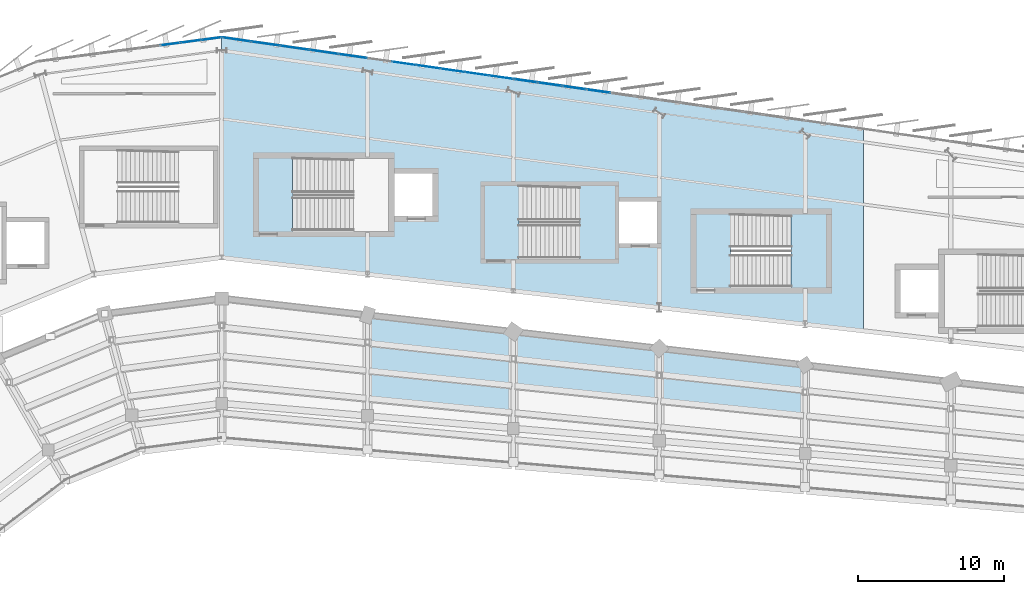
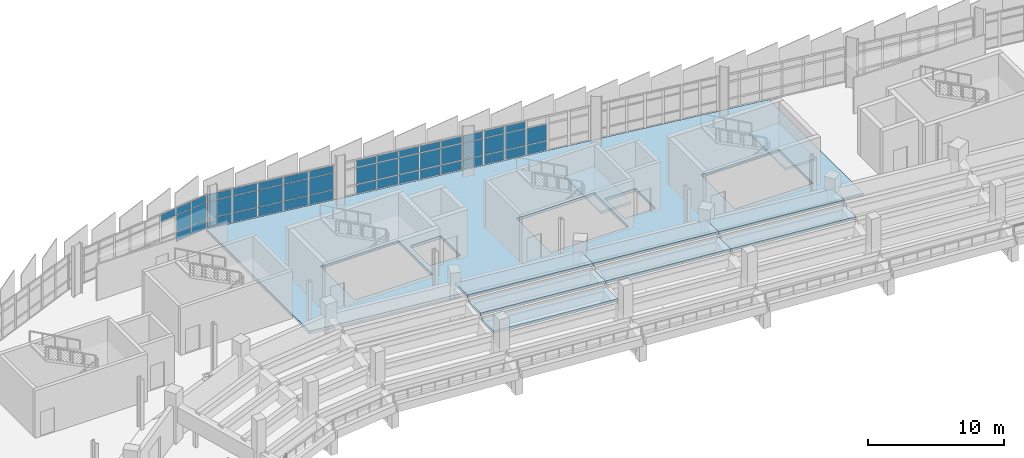
# One storey, part 86 of 120: 48 plates, 10 slabs, 6 elements without a shape of their own.
"""IFC4 building model written with IfcOpenShell, lengths in metres."""

from ifc_helpers import new_model, si_unit, direction, frame, origin, origin_2d, place, context, subcontext, project, spatial, polyline, rectangle, outline, extrude, material, layer, layer_set, type_object, element, aggregate, save


model = new_model("IFC4")

# Units and contexts
model_context = context("Model", 3, precision=1e-05, world=origin(), true_north=direction((0.0, 1.0)))
body_context = subcontext(model_context, "Body", "Model", "MODEL_VIEW")
ifc_project = project(units=[si_unit("LENGTHUNIT", "METRE"), si_unit("AREAUNIT", "SQUARE_METRE"), si_unit("VOLUMEUNIT", "CUBIC_METRE"), si_unit("PLANEANGLEUNIT", "RADIAN"), si_unit("MASSUNIT", "GRAM", prefix="KILO")], contexts=[model_context])

# Site, building, storey
site_placement = place(None, origin())
site = spatial("IfcSite", under=ifc_project, at=site_placement, CompositionType="ELEMENT")
building_placement = place(site_placement, origin())
building = spatial("IfcBuilding", under=site, at=building_placement, Name="Sohan Crest Arena", CompositionType="ELEMENT")
storey_placement = place(building_placement, frame((0.0, 0.0, 13.5)))
storey = spatial("IfcBuildingStorey", under=building, at=storey_placement, Name="L03", CompositionType="ELEMENT", Elevation=13.5)

# Curtain wall, plates
ifc_material_1 = material(Name="Thermally broken anodised aluminium", Category="aluminium")
ifc_layer_1 = layer(ifc_material_1, 0.179931640625, Name="Thermally broken anodised aluminium")
ifc_layer_set_1 = layer_set([ifc_layer_1], Name="Thermally broken anodised aluminium")
curtain_wall_type_1 = type_object("IfcCurtainWallType", Name="ARC-CW01", PredefinedType="NOTDEFINED", material=ifc_layer_set_1)
curtain_wall_1_placement = place(storey_placement, origin())
curtain_wall_1 = element("IfcCurtainWall", 1, at=curtain_wall_1_placement, inside=storey, type_object=curtain_wall_type_1, Name="Unitised curtain wall CW-080", PredefinedType="NOTDEFINED")
ifc_material_2 = material(Name="Low-E double-glazed insulated glass", Category="glass")
ifc_layer_2 = layer(ifc_material_2, 0.028076171875, Name="Low-E double-glazed insulated glass")
ifc_layer_set_2 = layer_set([ifc_layer_2], Name="Low-E double-glazed insulated glass")
plate_type_1 = type_object("IfcPlateType", Name="ARC-CNP01", PredefinedType="CURTAIN_PANEL", material=ifc_layer_set_2)
plate_1_placement = place(storey_placement, frame((97.281982421875, 126.805419921875, 0.06005859375), z_axis=(0.0, 0.0, 1.0), x_axis=(-0.991446828069, -0.130511252817, 0.0)))
plate_1 = element("IfcPlate", 2, at=plate_1_placement, type_object=plate_type_1, Name="CW-080 panel 1.1", PredefinedType="CURTAIN_PANEL", context=body_context, shape_type="SweptSolid", body=[
    extrude(rectangle(XDim=1.328369140625, YDim=0.028076171875, at=origin_2d()), origin(), (0.0, 0.0, 1.0), 0.81005859375),
])
plate_2_placement = place(storey_placement, frame((97.281982421875, 126.805419921875, 0.929931640625), z_axis=(0.0, 0.0, 1.0), x_axis=(-0.991446828069, -0.130511252817, 0.0)))
plate_2 = element("IfcPlate", 3, at=plate_2_placement, type_object=plate_type_1, Name="CW-080 panel 1.2", PredefinedType="CURTAIN_PANEL", context=body_context, shape_type="SweptSolid", body=[
    extrude(rectangle(XDim=1.328369140625, YDim=0.028076171875, at=origin_2d()), origin(), (0.0, 0.0, 1.0), 1.4599609375),
])
plate_3_placement = place(storey_placement, frame((97.281982421875, 126.805419921875, 2.44970703125), z_axis=(0.0, 0.0, 1.0), x_axis=(-0.991446828069, -0.130511252817, 0.0)))
plate_3 = element("IfcPlate", 4, at=plate_3_placement, type_object=plate_type_1, Name="CW-080 panel 1.3", PredefinedType="CURTAIN_PANEL", context=body_context, shape_type="SweptSolid", body=[
    extrude(rectangle(XDim=1.328369140625, YDim=0.028076171875, at=origin_2d()), origin(), (0.0, 0.0, 1.0), 0.610107421875),
])
plate_4_placement = place(storey_placement, frame((95.890625, 126.622314453125, 0.06005859375), z_axis=(0.0, 0.0, 1.0), x_axis=(-0.991446828069, -0.130511252817, 0.0)))
plate_4 = element("IfcPlate", 5, at=plate_4_placement, type_object=plate_type_1, Name="CW-080 panel 2.1", PredefinedType="CURTAIN_PANEL", context=body_context, shape_type="SweptSolid", body=[
    extrude(rectangle(XDim=1.3583984375, YDim=0.028076171875, at=origin_2d()), origin(), (0.0, 0.0, 1.0), 0.81005859375),
])
plate_5_placement = place(storey_placement, frame((95.890625, 126.622314453125, 0.929931640625), z_axis=(0.0, 0.0, 1.0), x_axis=(-0.991446828069, -0.130511252817, 0.0)))
plate_5 = element("IfcPlate", 6, at=plate_5_placement, type_object=plate_type_1, Name="CW-080 panel 2.2", PredefinedType="CURTAIN_PANEL", context=body_context, shape_type="SweptSolid", body=[
    extrude(rectangle(XDim=1.3583984375, YDim=0.028076171875, at=origin_2d()), origin(), (0.0, 0.0, 1.0), 1.4599609375),
])
plate_6_placement = place(storey_placement, frame((95.890625, 126.622314453125, 2.44970703125), z_axis=(0.0, 0.0, 1.0), x_axis=(-0.991446828069, -0.130511252817, 0.0)))
plate_6 = element("IfcPlate", 7, at=plate_6_placement, type_object=plate_type_1, Name="CW-080 panel 2.3", PredefinedType="CURTAIN_PANEL", context=body_context, shape_type="SweptSolid", body=[
    extrude(rectangle(XDim=1.3583984375, YDim=0.028076171875, at=origin_2d()), origin(), (0.0, 0.0, 1.0), 0.610107421875),
])
plate_7_placement = place(storey_placement, frame((94.484375, 126.437255859375, 2.44970703125), z_axis=(0.0, 0.0, 1.0), x_axis=(-0.991446828069, -0.130511252817, 0.0)))
plate_7 = element("IfcPlate", 8, at=plate_7_placement, type_object=plate_type_1, Name="CW-080 panel 3.3", PredefinedType="CURTAIN_PANEL", context=body_context, shape_type="SweptSolid", body=[
    extrude(rectangle(XDim=1.3583984375, YDim=0.028076171875, at=origin_2d()), origin(), (0.0, 0.0, 1.0), 0.610107421875),
])
aggregate(curtain_wall_1, [plate_1, plate_2, plate_3, plate_4, plate_5, plate_6, plate_7])

ifc_layer_3 = layer(ifc_material_1, 0.219970703125, Name="Thermally broken anodised aluminium")
ifc_layer_set_3 = layer_set([ifc_layer_3], Name="Thermally broken anodised aluminium")
curtain_wall_type_2 = type_object("IfcCurtainWallType", Name="ARC-CW03", PredefinedType="NOTDEFINED", material=ifc_layer_set_3)
curtain_wall_2_placement = place(storey_placement, origin())
curtain_wall_2 = element("IfcCurtainWall", 9, at=curtain_wall_2_placement, inside=storey, type_object=curtain_wall_type_2, Name="Unitised curtain wall CW-110", PredefinedType="NOTDEFINED")
plate_8_placement = place(storey_placement, frame((117.15185546875, 124.1640625, 0.070068359375), z_axis=(0.0, 0.0, 1.0), x_axis=(-0.989957411768, 0.141365918403, 0.0)))
plate_8 = element("IfcPlate", 10, at=plate_8_placement, type_object=plate_type_1, Name="CW-110 panel 1.1", PredefinedType="CURTAIN_PANEL", context=body_context, shape_type="SweptSolid", body=[
    extrude(rectangle(XDim=1.593505859375, YDim=0.028076171875, at=origin_2d()), origin(), (0.0, 0.0, 1.0), 0.794921875),
])
plate_9_placement = place(storey_placement, frame((117.15185546875, 124.1640625, 0.93505859375), z_axis=(0.0, 0.0, 1.0), x_axis=(-0.989957411768, 0.141365918403, 0.0)))
plate_9 = element("IfcPlate", 11, at=plate_9_placement, type_object=plate_type_1, Name="CW-110 panel 1.2", PredefinedType="CURTAIN_PANEL", context=body_context, shape_type="SweptSolid", body=[
    extrude(rectangle(XDim=1.593505859375, YDim=0.028076171875, at=origin_2d()), origin(), (0.0, 0.0, 1.0), 1.449951171875),
])
plate_10_placement = place(storey_placement, frame((117.15185546875, 124.1640625, 2.455078125), z_axis=(0.0, 0.0, 1.0), x_axis=(-0.989957411768, 0.141365918403, 0.0)))
plate_10 = element("IfcPlate", 12, at=plate_10_placement, type_object=plate_type_1, Name="CW-110 panel 1.3", PredefinedType="CURTAIN_PANEL", context=body_context, shape_type="SweptSolid", body=[
    extrude(rectangle(XDim=1.593505859375, YDim=0.028076171875, at=origin_2d()), origin(), (0.0, 0.0, 1.0), 0.594970703125),
])
plate_11_placement = place(storey_placement, frame((115.5, 124.39990234375, 0.070068359375), z_axis=(0.0, 0.0, 1.0), x_axis=(-0.989957411768, 0.141365918403, 0.0)))
plate_11 = element("IfcPlate", 13, at=plate_11_placement, type_object=plate_type_1, Name="CW-110 panel 2.1", PredefinedType="CURTAIN_PANEL", context=body_context, shape_type="SweptSolid", body=[
    extrude(rectangle(XDim=1.62353515625, YDim=0.028076171875, at=origin_2d()), origin(), (0.0, 0.0, 1.0), 0.794921875),
])
plate_12_placement = place(storey_placement, frame((115.5, 124.39990234375, 0.93505859375), z_axis=(0.0, 0.0, 1.0), x_axis=(-0.989957411768, 0.141365918403, 0.0)))
plate_12 = element("IfcPlate", 14, at=plate_12_placement, type_object=plate_type_1, Name="CW-110 panel 2.2", PredefinedType="CURTAIN_PANEL", context=body_context, shape_type="SweptSolid", body=[
    extrude(rectangle(XDim=1.62353515625, YDim=0.028076171875, at=origin_2d()), origin(), (0.0, 0.0, 1.0), 1.449951171875),
])
plate_13_placement = place(storey_placement, frame((115.5, 124.39990234375, 2.455078125), z_axis=(0.0, 0.0, 1.0), x_axis=(-0.989957411768, 0.141365918403, 0.0)))
plate_13 = element("IfcPlate", 15, at=plate_13_placement, type_object=plate_type_1, Name="CW-110 panel 2.3", PredefinedType="CURTAIN_PANEL", context=body_context, shape_type="SweptSolid", body=[
    extrude(rectangle(XDim=1.62353515625, YDim=0.028076171875, at=origin_2d()), origin(), (0.0, 0.0, 1.0), 0.594970703125),
])
plate_14_placement = place(storey_placement, frame((113.833251953125, 124.637939453125, 0.070068359375), z_axis=(0.0, 0.0, 1.0), x_axis=(-0.989957411768, 0.141365918403, 0.0)))
plate_14 = element("IfcPlate", 16, at=plate_14_placement, type_object=plate_type_1, Name="CW-110 panel 3.1", PredefinedType="CURTAIN_PANEL", context=body_context, shape_type="SweptSolid", body=[
    extrude(rectangle(XDim=1.62353515625, YDim=0.028076171875, at=origin_2d()), origin(), (0.0, 0.0, 1.0), 0.794921875),
])
plate_15_placement = place(storey_placement, frame((113.833251953125, 124.637939453125, 0.93505859375), z_axis=(0.0, 0.0, 1.0), x_axis=(-0.989957411768, 0.141365918403, 0.0)))
plate_15 = element("IfcPlate", 17, at=plate_15_placement, type_object=plate_type_1, Name="CW-110 panel 3.2", PredefinedType="CURTAIN_PANEL", context=body_context, shape_type="SweptSolid", body=[
    extrude(rectangle(XDim=1.62353515625, YDim=0.028076171875, at=origin_2d()), origin(), (0.0, 0.0, 1.0), 1.449951171875),
])
plate_16_placement = place(storey_placement, frame((113.833251953125, 124.637939453125, 2.455078125), z_axis=(0.0, 0.0, 1.0), x_axis=(-0.989957411768, 0.141365918403, 0.0)))
plate_16 = element("IfcPlate", 18, at=plate_16_placement, type_object=plate_type_1, Name="CW-110 panel 3.3", PredefinedType="CURTAIN_PANEL", context=body_context, shape_type="SweptSolid", body=[
    extrude(rectangle(XDim=1.62353515625, YDim=0.028076171875, at=origin_2d()), origin(), (0.0, 0.0, 1.0), 0.594970703125),
])
plate_17_placement = place(storey_placement, frame((112.166748046875, 124.8759765625, 0.070068359375), z_axis=(0.0, 0.0, 1.0), x_axis=(-0.989957411768, 0.141365918403, 0.0)))
plate_17 = element("IfcPlate", 19, at=plate_17_placement, type_object=plate_type_1, Name="CW-110 panel 4.1", PredefinedType="CURTAIN_PANEL", context=body_context, shape_type="SweptSolid", body=[
    extrude(rectangle(XDim=1.62353515625, YDim=0.028076171875, at=origin_2d()), origin(), (0.0, 0.0, 1.0), 0.794921875),
])
plate_18_placement = place(storey_placement, frame((112.166748046875, 124.8759765625, 0.93505859375), z_axis=(0.0, 0.0, 1.0), x_axis=(-0.989957411768, 0.141365918403, 0.0)))
plate_18 = element("IfcPlate", 20, at=plate_18_placement, type_object=plate_type_1, Name="CW-110 panel 4.2", PredefinedType="CURTAIN_PANEL", context=body_context, shape_type="SweptSolid", body=[
    extrude(rectangle(XDim=1.62353515625, YDim=0.028076171875, at=origin_2d()), origin(), (0.0, 0.0, 1.0), 1.449951171875),
])
plate_19_placement = place(storey_placement, frame((112.166748046875, 124.8759765625, 2.455078125), z_axis=(0.0, 0.0, 1.0), x_axis=(-0.989957411768, 0.141365918403, 0.0)))
plate_19 = element("IfcPlate", 21, at=plate_19_placement, type_object=plate_type_1, Name="CW-110 panel 4.3", PredefinedType="CURTAIN_PANEL", context=body_context, shape_type="SweptSolid", body=[
    extrude(rectangle(XDim=1.62353515625, YDim=0.028076171875, at=origin_2d()), origin(), (0.0, 0.0, 1.0), 0.594970703125),
])
plate_20_placement = place(storey_placement, frame((110.5, 125.114013671875, 0.070068359375), z_axis=(0.0, 0.0, 1.0), x_axis=(-0.989957411768, 0.141365918403, 0.0)))
plate_20 = element("IfcPlate", 22, at=plate_20_placement, type_object=plate_type_1, Name="CW-110 panel 5.1", PredefinedType="CURTAIN_PANEL", context=body_context, shape_type="SweptSolid", body=[
    extrude(rectangle(XDim=1.62353515625, YDim=0.028076171875, at=origin_2d()), origin(), (0.0, 0.0, 1.0), 0.794921875),
])
plate_21_placement = place(storey_placement, frame((110.5, 125.114013671875, 0.93505859375), z_axis=(0.0, 0.0, 1.0), x_axis=(-0.989957411768, 0.141365918403, 0.0)))
plate_21 = element("IfcPlate", 23, at=plate_21_placement, type_object=plate_type_1, Name="CW-110 panel 5.2", PredefinedType="CURTAIN_PANEL", context=body_context, shape_type="SweptSolid", body=[
    extrude(rectangle(XDim=1.62353515625, YDim=0.028076171875, at=origin_2d()), origin(), (0.0, 0.0, 1.0), 1.449951171875),
])
plate_22_placement = place(storey_placement, frame((110.5, 125.114013671875, 2.455078125), z_axis=(0.0, 0.0, 1.0), x_axis=(-0.989957411768, 0.141365918403, 0.0)))
plate_22 = element("IfcPlate", 24, at=plate_22_placement, type_object=plate_type_1, Name="CW-110 panel 5.3", PredefinedType="CURTAIN_PANEL", context=body_context, shape_type="SweptSolid", body=[
    extrude(rectangle(XDim=1.62353515625, YDim=0.028076171875, at=origin_2d()), origin(), (0.0, 0.0, 1.0), 0.594970703125),
])
aggregate(curtain_wall_2, [plate_8, plate_9, plate_10, plate_11, plate_12, plate_13, plate_14, plate_15, plate_16, plate_17, plate_18, plate_19, plate_20, plate_21, plate_22])

ifc_layer_4 = layer(ifc_material_1, 0.239990234375, Name="Thermally broken anodised aluminium")
ifc_layer_set_4 = layer_set([ifc_layer_4], Name="Thermally broken anodised aluminium")
curtain_wall_type_3 = type_object("IfcCurtainWallType", Name="ARC-CW04", PredefinedType="NOTDEFINED", material=ifc_layer_set_4)
curtain_wall_3_placement = place(storey_placement, origin())
curtain_wall_3 = element("IfcCurtainWall", 25, at=curtain_wall_3_placement, inside=storey, type_object=curtain_wall_type_3, Name="Unitised curtain wall CW-111", PredefinedType="NOTDEFINED")
ifc_layer_5 = layer(ifc_material_2, 0.031982421875, Name="Low-E double-glazed insulated glass")
ifc_layer_set_5 = layer_set([ifc_layer_5], Name="Low-E double-glazed insulated glass")
plate_type_2 = type_object("IfcPlateType", Name="ARC-CNP02", PredefinedType="CURTAIN_PANEL", material=ifc_layer_set_5)
plate_23_placement = place(storey_placement, frame((106.98388671875, 125.6162109375, 0.06005859375), z_axis=(0.0, 0.0, 1.0), x_axis=(-0.989943553128, 0.141462933734, 0.0)))
plate_23 = element("IfcPlate", 26, at=plate_23_placement, type_object=plate_type_2, Name="CW-111 panel 1.1", PredefinedType="CURTAIN_PANEL", context=body_context, shape_type="SweptSolid", body=[
    extrude(rectangle(XDim=1.9228515625, YDim=0.031982421875, at=origin_2d()), origin(), (0.0, 0.0, 1.0), 0.81005859375),
])
plate_24_placement = place(storey_placement, frame((106.98388671875, 125.6162109375, 0.929931640625), z_axis=(0.0, 0.0, 1.0), x_axis=(-0.989943553128, 0.141462933734, 0.0)))
plate_24 = element("IfcPlate", 27, at=plate_24_placement, type_object=plate_type_2, Name="CW-111 panel 1.2", PredefinedType="CURTAIN_PANEL", context=body_context, shape_type="SweptSolid", body=[
    extrude(rectangle(XDim=1.9228515625, YDim=0.031982421875, at=origin_2d()), origin(), (0.0, 0.0, 1.0), 1.4599609375),
])
plate_25_placement = place(storey_placement, frame((106.98388671875, 125.6162109375, 2.44970703125), z_axis=(0.0, 0.0, 1.0), x_axis=(-0.989943553128, 0.141462933734, 0.0)))
plate_25 = element("IfcPlate", 28, at=plate_25_placement, type_object=plate_type_2, Name="CW-111 panel 1.3", PredefinedType="CURTAIN_PANEL", context=body_context, shape_type="SweptSolid", body=[
    extrude(rectangle(XDim=1.9228515625, YDim=0.031982421875, at=origin_2d()), origin(), (0.0, 0.0, 1.0), 0.610107421875),
])
plate_26_placement = place(storey_placement, frame((105.0, 125.899658203125, 0.06005859375), z_axis=(0.0, 0.0, 1.0), x_axis=(-0.989943553128, 0.141462933734, 0.0)))
plate_26 = element("IfcPlate", 29, at=plate_26_placement, type_object=plate_type_2, Name="CW-111 panel 2.1", PredefinedType="CURTAIN_PANEL", context=body_context, shape_type="SweptSolid", body=[
    extrude(rectangle(XDim=1.955322265625, YDim=0.031982421875, at=origin_2d()), origin(), (0.0, 0.0, 1.0), 0.81005859375),
])
plate_27_placement = place(storey_placement, frame((105.0, 125.899658203125, 0.929931640625), z_axis=(0.0, 0.0, 1.0), x_axis=(-0.989943553128, 0.141462933734, 0.0)))
plate_27 = element("IfcPlate", 30, at=plate_27_placement, type_object=plate_type_2, Name="CW-111 panel 2.2", PredefinedType="CURTAIN_PANEL", context=body_context, shape_type="SweptSolid", body=[
    extrude(rectangle(XDim=1.955322265625, YDim=0.031982421875, at=origin_2d()), origin(), (0.0, 0.0, 1.0), 1.4599609375),
])
plate_28_placement = place(storey_placement, frame((105.0, 125.899658203125, 2.44970703125), z_axis=(0.0, 0.0, 1.0), x_axis=(-0.989943553128, 0.141462933734, 0.0)))
plate_28 = element("IfcPlate", 31, at=plate_28_placement, type_object=plate_type_2, Name="CW-111 panel 2.3", PredefinedType="CURTAIN_PANEL", context=body_context, shape_type="SweptSolid", body=[
    extrude(rectangle(XDim=1.955322265625, YDim=0.031982421875, at=origin_2d()), origin(), (0.0, 0.0, 1.0), 0.610107421875),
])
plate_29_placement = place(storey_placement, frame((103.0, 126.185546875, 0.06005859375), z_axis=(0.0, 0.0, 1.0), x_axis=(-0.989943553128, 0.141462933734, 0.0)))
plate_29 = element("IfcPlate", 32, at=plate_29_placement, type_object=plate_type_2, Name="CW-111 panel 3.1", PredefinedType="CURTAIN_PANEL", context=body_context, shape_type="SweptSolid", body=[
    extrude(rectangle(XDim=1.955322265625, YDim=0.031982421875, at=origin_2d()), origin(), (0.0, 0.0, 1.0), 0.81005859375),
])
plate_30_placement = place(storey_placement, frame((103.0, 126.185546875, 0.929931640625), z_axis=(0.0, 0.0, 1.0), x_axis=(-0.989943553128, 0.141462933734, 0.0)))
plate_30 = element("IfcPlate", 33, at=plate_30_placement, type_object=plate_type_2, Name="CW-111 panel 3.2", PredefinedType="CURTAIN_PANEL", context=body_context, shape_type="SweptSolid", body=[
    extrude(rectangle(XDim=1.955322265625, YDim=0.031982421875, at=origin_2d()), origin(), (0.0, 0.0, 1.0), 1.4599609375),
])
plate_31_placement = place(storey_placement, frame((103.0, 126.185546875, 2.44970703125), z_axis=(0.0, 0.0, 1.0), x_axis=(-0.989943553128, 0.141462933734, 0.0)))
plate_31 = element("IfcPlate", 34, at=plate_31_placement, type_object=plate_type_2, Name="CW-111 panel 3.3", PredefinedType="CURTAIN_PANEL", context=body_context, shape_type="SweptSolid", body=[
    extrude(rectangle(XDim=1.955322265625, YDim=0.031982421875, at=origin_2d()), origin(), (0.0, 0.0, 1.0), 0.610107421875),
])
plate_32_placement = place(storey_placement, frame((101.0, 126.47119140625, 0.06005859375), z_axis=(0.0, 0.0, 1.0), x_axis=(-0.989943553128, 0.141462933734, 0.0)))
plate_32 = element("IfcPlate", 35, at=plate_32_placement, type_object=plate_type_2, Name="CW-111 panel 4.1", PredefinedType="CURTAIN_PANEL", context=body_context, shape_type="SweptSolid", body=[
    extrude(rectangle(XDim=1.955322265625, YDim=0.031982421875, at=origin_2d()), origin(), (0.0, 0.0, 1.0), 0.81005859375),
])
plate_33_placement = place(storey_placement, frame((101.0, 126.47119140625, 0.929931640625), z_axis=(0.0, 0.0, 1.0), x_axis=(-0.989943553128, 0.141462933734, 0.0)))
plate_33 = element("IfcPlate", 36, at=plate_33_placement, type_object=plate_type_2, Name="CW-111 panel 4.2", PredefinedType="CURTAIN_PANEL", context=body_context, shape_type="SweptSolid", body=[
    extrude(rectangle(XDim=1.955322265625, YDim=0.031982421875, at=origin_2d()), origin(), (0.0, 0.0, 1.0), 1.4599609375),
])
plate_34_placement = place(storey_placement, frame((101.0, 126.47119140625, 2.44970703125), z_axis=(0.0, 0.0, 1.0), x_axis=(-0.989943553128, 0.141462933734, 0.0)))
plate_34 = element("IfcPlate", 37, at=plate_34_placement, type_object=plate_type_2, Name="CW-111 panel 4.3", PredefinedType="CURTAIN_PANEL", context=body_context, shape_type="SweptSolid", body=[
    extrude(rectangle(XDim=1.955322265625, YDim=0.031982421875, at=origin_2d()), origin(), (0.0, 0.0, 1.0), 0.610107421875),
])
plate_35_placement = place(storey_placement, frame((99.01611328125, 126.7548828125, 0.06005859375), z_axis=(0.0, 0.0, 1.0), x_axis=(-0.989943553128, 0.141462933734, 0.0)))
plate_35 = element("IfcPlate", 38, at=plate_35_placement, type_object=plate_type_2, Name="CW-111 panel 5.1", PredefinedType="CURTAIN_PANEL", context=body_context, shape_type="SweptSolid", body=[
    extrude(rectangle(XDim=1.9228515625, YDim=0.031982421875, at=origin_2d()), origin(), (0.0, 0.0, 1.0), 0.81005859375),
])
plate_36_placement = place(storey_placement, frame((99.01611328125, 126.7548828125, 0.929931640625), z_axis=(0.0, 0.0, 1.0), x_axis=(-0.989943553128, 0.141462933734, 0.0)))
plate_36 = element("IfcPlate", 39, at=plate_36_placement, type_object=plate_type_2, Name="CW-111 panel 5.2", PredefinedType="CURTAIN_PANEL", context=body_context, shape_type="SweptSolid", body=[
    extrude(rectangle(XDim=1.9228515625, YDim=0.031982421875, at=origin_2d()), origin(), (0.0, 0.0, 1.0), 1.4599609375),
])
plate_37_placement = place(storey_placement, frame((99.01611328125, 126.7548828125, 2.44970703125), z_axis=(0.0, 0.0, 1.0), x_axis=(-0.989943553128, 0.141462933734, 0.0)))
plate_37 = element("IfcPlate", 40, at=plate_37_placement, type_object=plate_type_2, Name="CW-111 panel 5.3", PredefinedType="CURTAIN_PANEL", context=body_context, shape_type="SweptSolid", body=[
    extrude(rectangle(XDim=1.9228515625, YDim=0.031982421875, at=origin_2d()), origin(), (0.0, 0.0, 1.0), 0.610107421875),
])
aggregate(curtain_wall_3, [plate_23, plate_24, plate_25, plate_26, plate_27, plate_28, plate_29, plate_30, plate_31, plate_32, plate_33, plate_34, plate_35, plate_36, plate_37])

ifc_layer_6 = layer(ifc_material_1, 0.199951171875, Name="Thermally broken anodised aluminium")
ifc_layer_set_6 = layer_set([ifc_layer_6], Name="Thermally broken anodised aluminium")
curtain_wall_type_4 = type_object("IfcCurtainWallType", Name="ARC-CW02", PredefinedType="NOTDEFINED", material=ifc_layer_set_6)
curtain_wall_4_placement = place(storey_placement, origin())
curtain_wall_4 = element("IfcCurtainWall", 41, at=curtain_wall_4_placement, inside=storey, type_object=curtain_wall_type_4, Name="Unitised curtain wall CW-109", PredefinedType="NOTDEFINED")
ifc_material_3 = material(Name="Insulated polychrome ceramic spandrel panel", Category="masonry")
ifc_layer_7 = layer(ifc_material_3, 0.0419921875, Name="Insulated polychrome ceramic spandrel panel")
ifc_layer_set_7 = layer_set([ifc_layer_7], Name="Insulated polychrome ceramic spandrel panel")
plate_type_3 = type_object("IfcPlateType", Name="ARC-CNP04", PredefinedType="CURTAIN_PANEL", material=ifc_layer_set_7)
plate_38_placement = place(storey_placement, frame((123.833251953125, 123.20947265625, 0.06494140625), z_axis=(0.0, 0.0, 1.0), x_axis=(-0.989943553128, 0.141462933734, 0.0)))
plate_38 = element("IfcPlate", 42, at=plate_38_placement, type_object=plate_type_3, Name="CW-109 panel 3.1", PredefinedType="CURTAIN_PANEL", context=body_context, shape_type="SweptSolid", body=[
    extrude(rectangle(XDim=1.608642578125, YDim=0.0419921875, at=origin_2d()), origin(), (0.0, 0.0, 1.0), 0.802490234375),
])
plate_39_placement = place(storey_placement, frame((123.833251953125, 123.20947265625, 0.932373046875), z_axis=(0.0, 0.0, 1.0), x_axis=(-0.989943553128, 0.141462933734, 0.0)))
plate_39 = element("IfcPlate", 43, at=plate_39_placement, type_object=plate_type_3, Name="CW-109 panel 3.2", PredefinedType="CURTAIN_PANEL", context=body_context, shape_type="SweptSolid", body=[
    extrude(rectangle(XDim=1.608642578125, YDim=0.0419921875, at=origin_2d()), origin(), (0.0, 0.0, 1.0), 1.455078125),
])
plate_40_placement = place(storey_placement, frame((122.166748046875, 123.447509765625, 0.06494140625), z_axis=(0.0, 0.0, 1.0), x_axis=(-0.989943553128, 0.141462933734, 0.0)))
plate_40 = element("IfcPlate", 44, at=plate_40_placement, type_object=plate_type_3, Name="CW-109 panel 4.1", PredefinedType="CURTAIN_PANEL", context=body_context, shape_type="SweptSolid", body=[
    extrude(rectangle(XDim=1.608642578125, YDim=0.0419921875, at=origin_2d()), origin(), (0.0, 0.0, 1.0), 0.802490234375),
])
plate_41_placement = place(storey_placement, frame((122.166748046875, 123.447509765625, 0.932373046875), z_axis=(0.0, 0.0, 1.0), x_axis=(-0.989943553128, 0.141462933734, 0.0)))
plate_41 = element("IfcPlate", 45, at=plate_41_placement, type_object=plate_type_3, Name="CW-109 panel 4.2", PredefinedType="CURTAIN_PANEL", context=body_context, shape_type="SweptSolid", body=[
    extrude(rectangle(XDim=1.608642578125, YDim=0.0419921875, at=origin_2d()), origin(), (0.0, 0.0, 1.0), 1.455078125),
])
plate_42_placement = place(storey_placement, frame((122.166748046875, 123.447509765625, 2.452392578125), z_axis=(0.0, 0.0, 1.0), x_axis=(-0.989943553128, 0.141462933734, 0.0)))
plate_42 = element("IfcPlate", 46, at=plate_42_placement, type_object=plate_type_3, Name="CW-109 panel 4.3", PredefinedType="CURTAIN_PANEL", context=body_context, shape_type="SweptSolid", body=[
    extrude(rectangle(XDim=1.608642578125, YDim=0.0419921875, at=origin_2d()), origin(), (0.0, 0.0, 1.0), 0.6025390625),
])
plate_43_placement = place(storey_placement, frame((120.5, 123.685791015625, 0.06494140625), z_axis=(0.0, 0.0, 1.0), x_axis=(-0.989943553128, 0.141462933734, 0.0)))
plate_43 = element("IfcPlate", 47, at=plate_43_placement, type_object=plate_type_3, Name="CW-109 panel 5.1", PredefinedType="CURTAIN_PANEL", context=body_context, shape_type="SweptSolid", body=[
    extrude(rectangle(XDim=1.608642578125, YDim=0.0419921875, at=origin_2d()), origin(), (0.0, 0.0, 1.0), 0.802490234375),
])
plate_44_placement = place(storey_placement, frame((120.5, 123.685791015625, 0.932373046875), z_axis=(0.0, 0.0, 1.0), x_axis=(-0.989943553128, 0.141462933734, 0.0)))
plate_44 = element("IfcPlate", 48, at=plate_44_placement, type_object=plate_type_3, Name="CW-109 panel 5.2", PredefinedType="CURTAIN_PANEL", context=body_context, shape_type="SweptSolid", body=[
    extrude(rectangle(XDim=1.608642578125, YDim=0.0419921875, at=origin_2d()), origin(), (0.0, 0.0, 1.0), 1.455078125),
])
plate_45_placement = place(storey_placement, frame((120.5, 123.685791015625, 2.452392578125), z_axis=(0.0, 0.0, 1.0), x_axis=(-0.989943553128, 0.141462933734, 0.0)))
plate_45 = element("IfcPlate", 49, at=plate_45_placement, type_object=plate_type_3, Name="CW-109 panel 5.3", PredefinedType="CURTAIN_PANEL", context=body_context, shape_type="SweptSolid", body=[
    extrude(rectangle(XDim=1.608642578125, YDim=0.0419921875, at=origin_2d()), origin(), (0.0, 0.0, 1.0), 0.6025390625),
])
plate_46_placement = place(storey_placement, frame((118.851806640625, 123.921142578125, 0.06494140625), z_axis=(0.0, 0.0, 1.0), x_axis=(-0.989943553128, 0.141462933734, 0.0)))
plate_46 = element("IfcPlate", 50, at=plate_46_placement, type_object=plate_type_3, Name="CW-109 panel 6.1", PredefinedType="CURTAIN_PANEL", context=body_context, shape_type="SweptSolid", body=[
    extrude(rectangle(XDim=1.571044921875, YDim=0.0419921875, at=origin_2d()), origin(), (0.0, 0.0, 1.0), 0.802490234375),
])
plate_47_placement = place(storey_placement, frame((118.851806640625, 123.921142578125, 0.932373046875), z_axis=(0.0, 0.0, 1.0), x_axis=(-0.989943553128, 0.141462933734, 0.0)))
plate_47 = element("IfcPlate", 51, at=plate_47_placement, type_object=plate_type_3, Name="CW-109 panel 6.2", PredefinedType="CURTAIN_PANEL", context=body_context, shape_type="SweptSolid", body=[
    extrude(rectangle(XDim=1.571044921875, YDim=0.0419921875, at=origin_2d()), origin(), (0.0, 0.0, 1.0), 1.455078125),
])
plate_48_placement = place(storey_placement, frame((118.851806640625, 123.921142578125, 2.452392578125), z_axis=(0.0, 0.0, 1.0), x_axis=(-0.989943553128, 0.141462933734, 0.0)))
plate_48 = element("IfcPlate", 52, at=plate_48_placement, type_object=plate_type_3, Name="CW-109 panel 6.3", PredefinedType="CURTAIN_PANEL", context=body_context, shape_type="SweptSolid", body=[
    extrude(rectangle(XDim=1.571044921875, YDim=0.0419921875, at=origin_2d()), origin(), (0.0, 0.0, 1.0), 0.6025390625),
])
aggregate(curtain_wall_4, [plate_38, plate_39, plate_40, plate_41, plate_42, plate_43, plate_44, plate_45, plate_46, plate_47, plate_48])

# Slab
ifc_material_4 = material(Name="Concrete C40/50", Category="concrete")
ifc_layer_8 = layer(ifc_material_4, 0.25, Name="Concrete C40/50")
ifc_layer_set_8 = layer_set([ifc_layer_8], Name="Concrete C40/50")
slab_type_1 = type_object("IfcSlabType", Name="SL-FLR3", PredefinedType="FLOOR", material=ifc_layer_set_8)
slab_1_placement = place(storey_placement, frame((0.0, 0.0, -0.25)))
element("IfcSlab", 53, at=slab_1_placement, inside=storey, type_object=slab_type_1, Name="Concourse ring L03 sector 3 SL-L03-V2S3", PredefinedType="FLOOR", context=body_context, shape_type="SweptSolid", body=[
    extrude(outline(polyline([(98.0, 126.89990234375), (142.0, 120.614013671875), (142.0, 106.77197265625), (98.0, 111.800048828125), (98.0, 126.89990234375)]), holes=[polyline([(102.8701171875, 113.60009765625), (109.449951171875, 113.60009765625), (109.449951171875, 118.60009765625), (102.8701171875, 118.60009765625), (102.8701171875, 113.60009765625)]), polyline([(109.85009765625, 117.550048828125), (109.85009765625, 114.64990234375), (112.449951171875, 114.64990234375), (112.449951171875, 117.550048828125), (109.85009765625, 117.550048828125)]), polyline([(118.3701171875, 111.699951171875), (124.949951171875, 111.699951171875), (124.949951171875, 116.699951171875), (118.3701171875, 116.699951171875), (118.3701171875, 111.699951171875)]), polyline([(125.25, 115.64990234375), (125.25, 112.75), (127.85009765625, 112.75), (127.85009765625, 115.64990234375), (125.25, 115.64990234375)]), polyline([(132.8701171875, 114.75), (132.8701171875, 109.75), (139.449951171875, 109.75), (139.449951171875, 114.75), (132.8701171875, 114.75)])]), origin(), (0.0, 0.0, 1.0), 0.25),
])

# Stair, slab
stair_type_1 = type_object("IfcStairType", Name="ST-450", PredefinedType="TWO_STRAIGHT_RUN_STAIR", material=ifc_material_4)
stair_1_placement = place(storey_placement, origin())
stair_1 = element("IfcStair", 54, at=stair_1_placement, inside=storey, type_object=stair_type_1, Name="Protected exit stair ST08-L03", PredefinedType="TWO_STRAIGHT_RUN_STAIR")
ifc_layer_9 = layer(ifc_material_4, 0.199951171875, Name="Concrete C40/50")
ifc_layer_set_9 = layer_set([ifc_layer_9], Name="Concrete C40/50")
slab_type_2 = type_object("IfcSlabType", Name="SL-LND1", PredefinedType="LANDING", material=ifc_layer_set_9)
slab_2_placement = place(storey_placement, frame((0.0, 0.0, 2.050048828125)))
slab_2 = element("IfcSlab", 55, at=slab_2_placement, type_object=slab_type_2, Name="ST08-L03 landing 1", PredefinedType="LANDING", context=body_context, shape_type="SweptSolid", body=[
    extrude(outline(polyline([(122.530029296875, 111.550048828125), (125.10009765625, 111.550048828125), (125.10009765625, 116.85009765625), (122.530029296875, 116.85009765625), (122.530029296875, 111.550048828125)])), origin(), (0.0, 0.0, 1.0), 0.199951171875),
])
aggregate(stair_1, [slab_2])

stair_type_2 = type_object("IfcStairType", Name="ST-450W", PredefinedType="TWO_STRAIGHT_RUN_STAIR", material=ifc_material_4)
stair_2_placement = place(storey_placement, origin())
stair_2 = element("IfcStair", 56, at=stair_2_placement, inside=storey, type_object=stair_type_2, Name="Protected exit stair ST22-L03", PredefinedType="TWO_STRAIGHT_RUN_STAIR")
slab_3_placement = place(storey_placement, frame((0.0, 0.0, 2.050048828125)))
slab_3 = element("IfcSlab", 57, at=slab_3_placement, type_object=slab_type_2, Name="ST22-L03 landing 1", PredefinedType="LANDING", context=body_context, shape_type="SweptSolid", body=[
    extrude(outline(polyline([(137.030029296875, 109.60009765625), (139.60009765625, 109.60009765625), (139.60009765625, 114.89990234375), (137.030029296875, 114.89990234375), (137.030029296875, 109.60009765625)])), origin(), (0.0, 0.0, 1.0), 0.199951171875),
])
aggregate(stair_2, [slab_3])

# Slabs
ifc_material_5 = material(Name="Precast concrete C50/60", Category="concrete")
ifc_layer_10 = layer(ifc_material_5, 0.235107421875, Name="Precast concrete C50/60")
ifc_layer_set_10 = layer_set([ifc_layer_10], Name="Precast concrete C50/60")
slab_type_3 = type_object("IfcSlabType", Name="SL-TIER3", PredefinedType="USERDEFINED", material=ifc_layer_set_10)
slab_4_placement = place(storey_placement, frame((0.0, 0.0, 2.591064453125)))
element("IfcSlab", 58, at=slab_4_placement, inside=storey, type_object=slab_type_3, Name="Upper cantilevered precast seating tier ST-UPP-234", ObjectType="SEATING TIER", PredefinedType="USERDEFINED", context=body_context, shape_type="SweptSolid", body=[
    extrude(outline(polyline([(138.0, 100.966064453125), (128.0, 101.993896484375), (128.0, 103.7109375), (138.0, 102.6279296875), (138.0, 100.966064453125)])), origin(), (0.0, 0.0, 1.0), 0.23486328125),
])
slab_5_placement = place(storey_placement, frame((0.0, 0.0, 3.051025390625)))
element("IfcSlab", 59, at=slab_5_placement, inside=storey, type_object=slab_type_3, Name="Upper cantilevered precast seating tier ST-UPP-235", ObjectType="SEATING TIER", PredefinedType="USERDEFINED", context=body_context, shape_type="SweptSolid", body=[
    extrude(outline(polyline([(138.0, 102.697021484375), (128.0, 103.782958984375), (128.0, 105.4990234375), (138.0, 104.360107421875), (138.0, 102.697021484375)])), origin(), (0.0, 0.0, 1.0), 0.23486328125),
])
slab_6_placement = place(storey_placement, frame((0.0, 0.0, 2.591064453125)))
element("IfcSlab", 60, at=slab_6_placement, inside=storey, type_object=slab_type_3, Name="Upper cantilevered precast seating tier ST-UPP-244", ObjectType="SEATING TIER", PredefinedType="USERDEFINED", context=body_context, shape_type="SweptSolid", body=[
    extrude(outline(polyline([(128.0, 101.993896484375), (118.0, 103.02294921875), (118.0, 104.794921875), (128.0, 103.7109375), (128.0, 101.993896484375)])), origin(), (0.0, 0.0, 1.0), 0.23486328125),
])
slab_7_placement = place(storey_placement, frame((0.0, 0.0, 3.051025390625)))
element("IfcSlab", 61, at=slab_7_placement, inside=storey, type_object=slab_type_3, Name="Upper cantilevered precast seating tier ST-UPP-245", ObjectType="SEATING TIER", PredefinedType="USERDEFINED", context=body_context, shape_type="SweptSolid", body=[
    extrude(outline(polyline([(128.0, 103.782958984375), (118.0, 104.867919921875), (118.0, 106.639892578125), (128.0, 105.4990234375), (128.0, 103.782958984375)])), origin(), (0.0, 0.0, 1.0), 0.23486328125),
])
slab_8_placement = place(storey_placement, frame((0.0, 0.0, 2.131103515625)))
element("IfcSlab", 62, at=slab_8_placement, inside=storey, type_object=slab_type_3, Name="Upper cantilevered precast seating tier ST-UPP-253", ObjectType="SEATING TIER", PredefinedType="USERDEFINED", context=body_context, shape_type="SweptSolid", body=[
    extrude(outline(polyline([(118.0, 101.177001953125), (108.0, 102.14892578125), (108.0, 103.97509765625), (118.0, 102.948974609375), (118.0, 101.177001953125)])), origin(), (0.0, 0.0, 1.0), 0.23486328125),
])
slab_9_placement = place(storey_placement, frame((0.0, 0.0, 2.591064453125)))
element("IfcSlab", 63, at=slab_9_placement, inside=storey, type_object=slab_type_3, Name="Upper cantilevered precast seating tier ST-UPP-254", ObjectType="SEATING TIER", PredefinedType="USERDEFINED", context=body_context, shape_type="SweptSolid", body=[
    extrude(outline(polyline([(118.0, 103.02294921875), (108.0, 104.051025390625), (108.0, 105.8779296875), (118.0, 104.794921875), (118.0, 103.02294921875)])), origin(), (0.0, 0.0, 1.0), 0.23486328125),
])
slab_10_placement = place(storey_placement, frame((0.0, 0.0, 3.051025390625)))
element("IfcSlab", 64, at=slab_10_placement, inside=storey, type_object=slab_type_3, Name="Upper cantilevered precast seating tier ST-UPP-255", ObjectType="SEATING TIER", PredefinedType="USERDEFINED", context=body_context, shape_type="SweptSolid", body=[
    extrude(outline(polyline([(118.0, 104.867919921875), (108.0, 105.9541015625), (108.0, 107.781005859375), (118.0, 106.639892578125), (118.0, 104.867919921875)])), origin(), (0.0, 0.0, 1.0), 0.23486328125),
])

save(model, "model.ifc")
